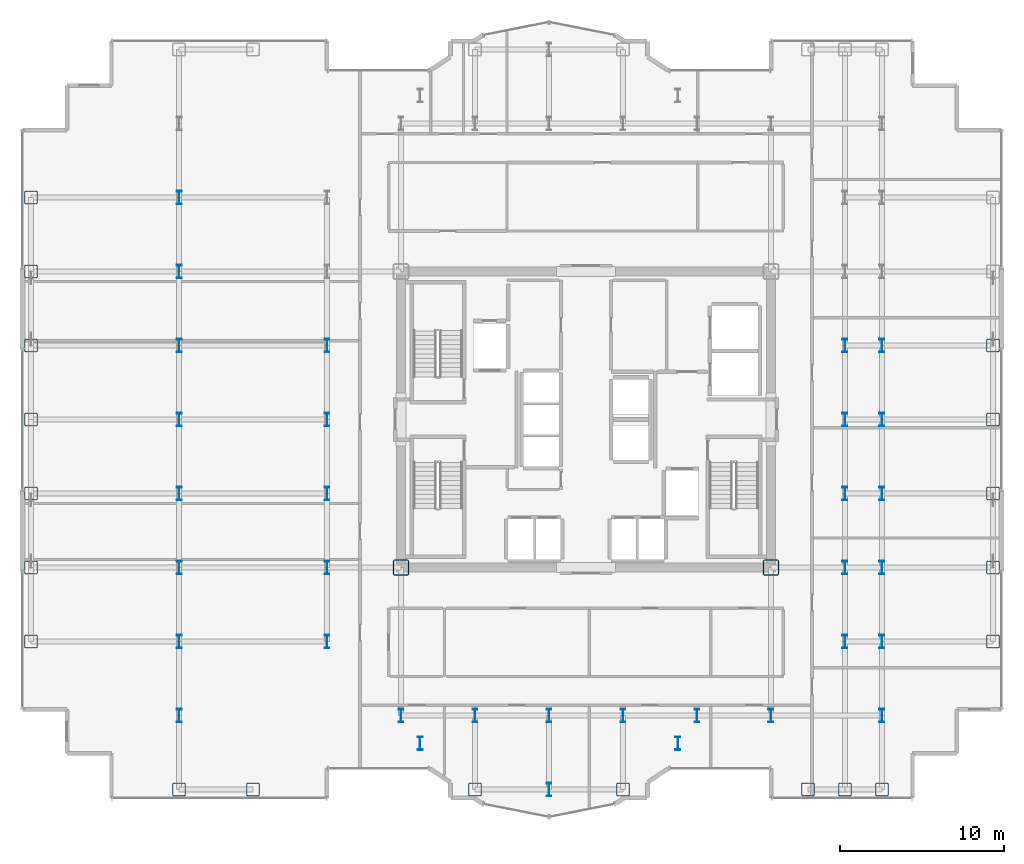
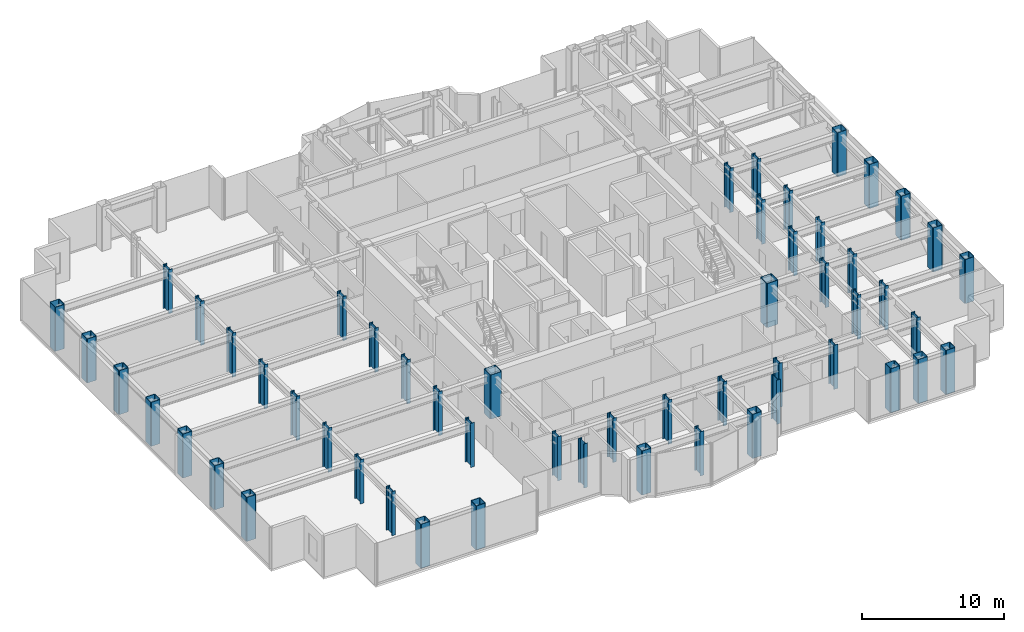
# One storey, part 1 of 26: 54 columns.
"""IFC4 building model written with IfcOpenShell, lengths in metres."""

from ifc_helpers import new_model, si_unit, direction, frame, origin, origin_2d, place, context, subcontext, project, spatial, hollow_rectangle, i_section, extrude, source, transform, mapped, material, material_profile, profile_set, type_object, element, save


model = new_model("IFC4")

# Units and contexts
model_context = context("Model", 3, precision=1e-05, world=origin(), true_north=direction((0.0, 1.0)))
body_context = subcontext(model_context, "Body", "Model", "MODEL_VIEW")
ifc_project = project(units=[si_unit("LENGTHUNIT", "METRE"), si_unit("AREAUNIT", "SQUARE_METRE"), si_unit("VOLUMEUNIT", "CUBIC_METRE"), si_unit("PLANEANGLEUNIT", "RADIAN"), si_unit("MASSUNIT", "GRAM", prefix="KILO")], contexts=[model_context])

# Site, building, storey
site_placement = place(None, origin())
site = spatial("IfcSite", under=ifc_project, at=site_placement, CompositionType="ELEMENT")
building_placement = place(site_placement, origin())
building = spatial("IfcBuilding", under=site, at=building_placement, Name="Nefas-Gora Pilgrimage Tower", CompositionType="ELEMENT")
storey_placement = place(building_placement, frame((0.0, 0.0, 160.199951171875)))
storey = spatial("IfcBuildingStorey", under=building, at=storey_placement, Name="L39", CompositionType="ELEMENT", Elevation=160.199951171875)

# Columns
ifc_material = material(Name="Steel S460", Category="steel")
ifc_material_profile_1 = material_profile(ifc_material, hollow_rectangle(XDim=0.949951171875, YDim=0.949951171875, WallThickness=0.044921875, InnerFilletRadius=0.044921875, OuterFilletRadius=0.090087890625, at=origin_2d()), Name="BOX 950x950x45")
ifc_profile_set_1 = profile_set([ifc_material_profile_1], Name="Steel S460")
column_type_1 = type_object("IfcColumnType", Name="COL-CORE-950", PredefinedType="COLUMN", material=ifc_profile_set_1)
shared_shape_1 = source(origin(), body_context, "Body", "SweptSolid", [
    extrude(hollow_rectangle(XDim=0.949951171875, YDim=0.949951171875, WallThickness=0.044921875, InnerFilletRadius=0.044921875, OuterFilletRadius=0.090087890625, at=origin_2d()), origin(), (0.0, 0.0, 1.0), 3.800048828125),
])
for number, where, z_axis, x_axis, name in (
    (1, (-11.25, -9.0, 0.0), (0.0, 0.0, 1.0), (1.0, 0.0, 0.0), "L39 Tower Column CC-Z1.29"),
    (2, (11.25, -9.0, 0.0), (0.0, 0.0, 1.0), (1.0, 0.0, 0.0), "L39 Tower Column CC-Z1.51"),
):
    element("IfcColumn", number, at=place(storey_placement, frame(where, z_axis=z_axis, x_axis=x_axis)), inside=storey, type_object=column_type_1, Name=name, PredefinedType="COLUMN", context=body_context, shape_type="MappedRepresentation", body=[
        mapped(shared_shape_1, transform((0.0, 0.0, 0.0), x_axis=(1.0, 0.0, 0.0), y_axis=(0.0, 1.0, 0.0), z_axis=(0.0, 0.0, 1.0), scale=1.0)),
    ])
ifc_material_profile_2 = material_profile(ifc_material, hollow_rectangle(XDim=0.800048828125, YDim=0.800048828125, WallThickness=0.0400390625, InnerFilletRadius=0.0400390625, OuterFilletRadius=0.080078125, at=origin_2d()), Name="BOX 800x800x40")
ifc_profile_set_2 = profile_set([ifc_material_profile_2], Name="Steel S460")
column_type_2 = type_object("IfcColumnType", Name="COL-TUBE-800", PredefinedType="COLUMN", material=ifc_profile_set_2)
shared_shape_2 = source(origin(), body_context, "Body", "SweptSolid", [
    extrude(hollow_rectangle(XDim=0.800048828125, YDim=0.800048828125, WallThickness=0.0400390625, InnerFilletRadius=0.0400390625, OuterFilletRadius=0.080078125, at=origin_2d()), origin(), (0.0, 0.0, 1.0), 3.800048828125),
])
for number, where, z_axis, x_axis, name in (
    (3, (-33.75, -13.5, 0.0), (0.0, 0.0, 1.0), (1.0, 0.0, 0.0), "L39 Tower Column C-Z2.1"),
    (4, (-33.75, -9.0, 0.0), (0.0, 0.0, 1.0), (1.0, 0.0, 0.0), "L39 Tower Column C-Z2.2"),
    (5, (-33.75, -4.5, 0.0), (0.0, 0.0, 1.0), (1.0, 0.0, 0.0), "L39 Tower Column C-Z2.3"),
    (6, (-33.75, 0.0, 0.0), (0.0, 0.0, 1.0), (1.0, 0.0, 0.0), "L39 Tower Column C-Z2.4"),
    (7, (-33.75, 4.5, 0.0), (0.0, 0.0, 1.0), (1.0, 0.0, 0.0), "L39 Tower Column C-Z2.5"),
    (8, (-33.75, 9.0, 0.0), (0.0, 0.0, 1.0), (1.0, 0.0, 0.0), "L39 Tower Column C-Z2.6"),
    (9, (-33.75, 13.5, 0.0), (0.0, 0.0, 1.0), (1.0, 0.0, 0.0), "L39 Tower Column C-Z2.7"),
    (10, (-24.75, -22.5, 0.0), (0.0, 0.0, 1.0), (1.0, 0.0, 0.0), "L39 Tower Column C-Z2.8"),
    (11, (-20.25, -22.5, 0.0), (0.0, 0.0, 1.0), (1.0, 0.0, 0.0), "L39 Tower Column C-Z2.19"),
    (12, (-6.75, -22.5, 0.0), (0.0, 0.0, 1.0), (1.0, 0.0, 0.0), "L39 Tower Column C-Z2.34"),
    (13, (2.25, -22.5, 0.0), (0.0, 0.0, 1.0), (1.0, 0.0, 0.0), "L39 Tower Column C-Z2.42"),
    (14, (13.5, -22.5, 0.0), (0.0, 0.0, 1.0), (1.0, 0.0, 0.0), "L39 Tower Column C-Z2.54"),
    (15, (15.75, -22.5, 0.0), (0.0, 0.0, 1.0), (1.0, 0.0, 0.0), "L39 Tower Column C-Z2.56"),
    (16, (18.0, -22.5, 0.0), (0.0, 0.0, 1.0), (1.0, 0.0, 0.0), "L39 Tower Column C-Z2.65"),
    (17, (24.75, -13.5, 0.0), (0.0, 0.0, 1.0), (1.0, 0.0, 0.0), "L39 Tower Column C-Z2.76"),
    (18, (24.75, -9.0, 0.0), (0.0, 0.0, 1.0), (1.0, 0.0, 0.0), "L39 Tower Column C-Z2.77"),
    (19, (24.75, -4.5, 0.0), (0.0, 0.0, 1.0), (1.0, 0.0, 0.0), "L39 Tower Column C-Z2.78"),
    (20, (24.75, 0.0, 0.0), (0.0, 0.0, 1.0), (1.0, 0.0, 0.0), "L39 Tower Column C-Z2.79"),
    (21, (24.75, 4.5, 0.0), (0.0, 0.0, 1.0), (1.0, 0.0, 0.0), "L39 Tower Column C-Z2.80"),
):
    element("IfcColumn", number, at=place(storey_placement, frame(where, z_axis=z_axis, x_axis=x_axis)), inside=storey, type_object=column_type_2, Name=name, PredefinedType="COLUMN", context=body_context, shape_type="MappedRepresentation", body=[
        mapped(shared_shape_2, transform((0.0, 0.0, 0.0), x_axis=(1.0, 0.0, 0.0), y_axis=(0.0, 1.0, 0.0), z_axis=(0.0, 0.0, 1.0), scale=1.0)),
    ])
ifc_material_profile_3 = material_profile(ifc_material, i_section(OverallWidth=0.302978515625, OverallDepth=0.81396484375, WebThickness=0.02099609375, FlangeThickness=0.0400390625, FilletRadius=0.030029296875, at=origin_2d()), Name="HEM 800")
ifc_profile_set_3 = profile_set([ifc_material_profile_3], Name="Steel S460")
column_type_3 = type_object("IfcColumnType", Name="COL-WEB-HEM800", PredefinedType="COLUMN", material=ifc_profile_set_3)
shared_shape_3 = source(origin(), body_context, "Body", "SweptSolid", [
    extrude(i_section(OverallWidth=0.302978515625, OverallDepth=0.81396484375, WebThickness=0.02099609375, FlangeThickness=0.0400390625, FilletRadius=0.030029296875, at=origin_2d()), origin(), (0.0, 0.0, 1.0), 3.800048828125),
])
for number, where, z_axis, x_axis, name in (
    (22, (-24.75, -18.0, 0.0), (0.0, 0.0, 1.0), (1.0, 0.0, 0.0), "L39 Tower Column CW-02.9"),
    (23, (-24.75, -13.5, 0.0), (0.0, 0.0, 1.0), (1.0, 0.0, 0.0), "L39 Tower Column CW-02.10"),
    (24, (-24.75, -9.0, 0.0), (0.0, 0.0, 1.0), (1.0, 0.0, 0.0), "L39 Tower Column CW-02.11"),
    (25, (-24.75, -4.5, 0.0), (0.0, 0.0, 1.0), (1.0, 0.0, 0.0), "L39 Tower Column CW-02.12"),
    (26, (-24.75, 0.0, 0.0), (0.0, 0.0, 1.0), (1.0, 0.0, 0.0), "L39 Tower Column CW-02.13"),
    (27, (-24.75, 4.5, 0.0), (0.0, 0.0, 1.0), (1.0, 0.0, 0.0), "L39 Tower Column CW-02.14"),
    (28, (-24.75, 9.0, 0.0), (0.0, 0.0, 1.0), (1.0, 0.0, 0.0), "L39 Tower Column CW-02.15"),
    (29, (-24.75, 13.5, 0.0), (0.0, 0.0, 1.0), (1.0, 0.0, 0.0), "L39 Tower Column CW-02.16"),
    (30, (-15.75, -13.5, 0.0), (0.0, 0.0, 1.0), (1.0, 0.0, 0.0), "L39 Tower Column CW-02.21"),
    (31, (-15.75, -9.0, 0.0), (0.0, 0.0, 1.0), (1.0, 0.0, 0.0), "L39 Tower Column CW-02.22"),
    (32, (-15.75, -4.5, 0.0), (0.0, 0.0, 1.0), (1.0, 0.0, 0.0), "L39 Tower Column CW-02.23"),
    (33, (-15.75, 0.0, 0.0), (0.0, 0.0, 1.0), (1.0, 0.0, 0.0), "L39 Tower Column CW-02.24"),
    (34, (-15.75, 4.5, 0.0), (0.0, 0.0, 1.0), (1.0, 0.0, 0.0), "L39 Tower Column CW-02.25"),
    (35, (-11.25, -18.0, 0.0), (0.0, 0.0, 1.0), (1.0, 0.0, 0.0), "L39 Tower Column CW-02.28"),
    (36, (-10.091064453125, -19.696044921875, 0.0), (0.0, 0.0, 1.0), (1.0, 0.0, 0.0), "L39 Tower Column CW-02.32"),
    (37, (-6.75, -18.0, 0.0), (0.0, 0.0, 1.0), (1.0, 0.0, 0.0), "L39 Tower Column CW-02.35"),
    (38, (-2.25, -22.5, 0.0), (0.0, 0.0, 1.0), (1.0, 0.0, 0.0), "L39 Tower Column CW-02.38"),
    (39, (-2.25, -18.0, 0.0), (0.0, 0.0, 1.0), (1.0, 0.0, 0.0), "L39 Tower Column CW-02.39"),
    (40, (2.25, -18.0, 0.0), (0.0, 0.0, 1.0), (1.0, 0.0, 0.0), "L39 Tower Column CW-02.43"),
    (41, (5.591064453125, -19.696044921875, 0.0), (0.0, 0.0, 1.0), (1.0, 0.0, 0.0), "L39 Tower Column CW-02.46"),
    (42, (6.75, -18.0, 0.0), (0.0, 0.0, 1.0), (1.0, 0.0, 0.0), "L39 Tower Column CW-02.48"),
    (43, (11.25, -18.0, 0.0), (0.0, 0.0, 1.0), (1.0, 0.0, 0.0), "L39 Tower Column CW-02.50"),
    (44, (15.75, -13.5, 0.0), (0.0, 0.0, 1.0), (1.0, 0.0, 0.0), "L39 Tower Column CW-02.57"),
    (45, (15.75, -9.0, 0.0), (0.0, 0.0, 1.0), (1.0, 0.0, 0.0), "L39 Tower Column CW-02.58"),
    (46, (15.75, -4.5, 0.0), (0.0, 0.0, 1.0), (1.0, 0.0, 0.0), "L39 Tower Column CW-02.59"),
    (47, (15.75, 0.0, 0.0), (0.0, 0.0, 1.0), (1.0, 0.0, 0.0), "L39 Tower Column CW-02.60"),
    (48, (15.75, 4.5, 0.0), (0.0, 0.0, 1.0), (1.0, 0.0, 0.0), "L39 Tower Column CW-02.61"),
    (49, (18.0, -18.0, 0.0), (0.0, 0.0, 1.0), (1.0, 0.0, 0.0), "L39 Tower Column CW-02.66"),
    (50, (18.0, -13.5, 0.0), (0.0, 0.0, 1.0), (1.0, 0.0, 0.0), "L39 Tower Column CW-02.67"),
    (51, (18.0, -9.0, 0.0), (0.0, 0.0, 1.0), (1.0, 0.0, 0.0), "L39 Tower Column CW-02.68"),
    (52, (18.0, -4.5, 0.0), (0.0, 0.0, 1.0), (1.0, 0.0, 0.0), "L39 Tower Column CW-02.69"),
    (53, (18.0, 0.0, 0.0), (0.0, 0.0, 1.0), (1.0, 0.0, 0.0), "L39 Tower Column CW-02.70"),
    (54, (18.0, 4.5, 0.0), (0.0, 0.0, 1.0), (1.0, 0.0, 0.0), "L39 Tower Column CW-02.71"),
):
    element("IfcColumn", number, at=place(storey_placement, frame(where, z_axis=z_axis, x_axis=x_axis)), inside=storey, type_object=column_type_3, Name=name, PredefinedType="COLUMN", context=body_context, shape_type="MappedRepresentation", body=[
        mapped(shared_shape_3, transform((0.0, 0.0, 0.0), x_axis=(1.0, 0.0, 0.0), y_axis=(0.0, 1.0, 0.0), z_axis=(0.0, 0.0, 1.0), scale=1.0)),
    ])

save(model, "model.ifc")
